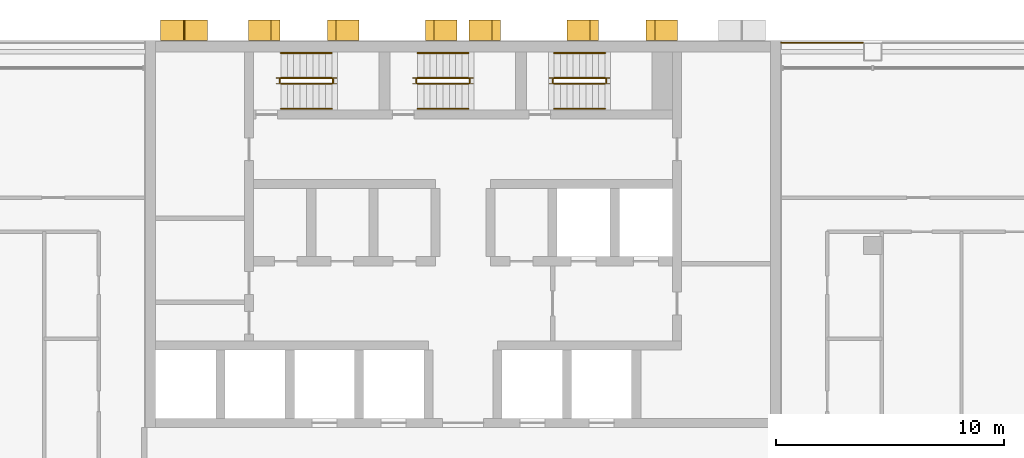
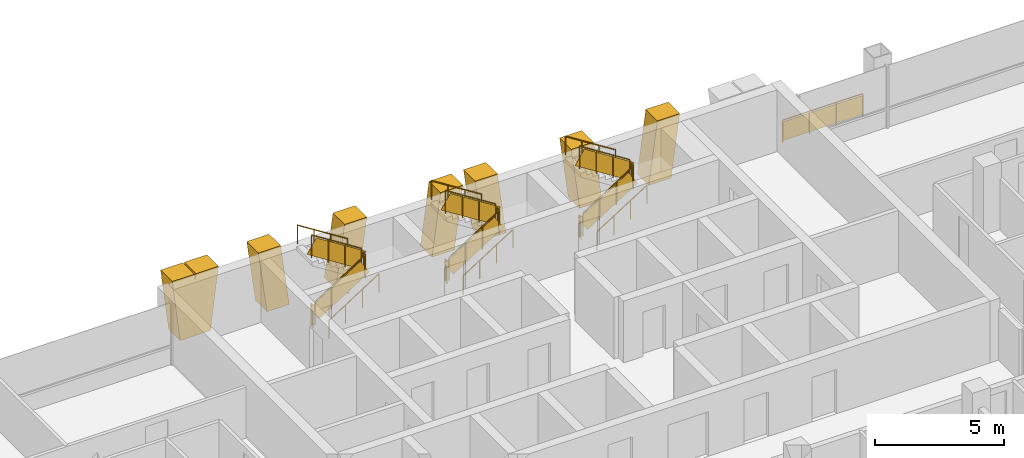
# One storey, part 15 of 16: 19 railings, 7 shading devices.
"""IFC4 building model written with IfcOpenShell, lengths in metres."""

from ifc_helpers import new_model, si_unit, direction, frame, origin, origin_2d, place, context, subcontext, project, spatial, polyline, rectangle, circle, outline, extrude, material, layer, layer_set, type_object, element, save


model = new_model("IFC4")

# Units and contexts
model_context = context("Model", 3, precision=1e-05, world=origin(), true_north=direction((0.0, 1.0)))
body_context = subcontext(model_context, "Body", "Model", "MODEL_VIEW")
ifc_project = project(units=[si_unit("LENGTHUNIT", "METRE"), si_unit("AREAUNIT", "SQUARE_METRE"), si_unit("VOLUMEUNIT", "CUBIC_METRE"), si_unit("PLANEANGLEUNIT", "RADIAN"), si_unit("MASSUNIT", "GRAM", prefix="KILO")], contexts=[model_context])

# Site, building, storey
site_placement = place(None, origin())
site = spatial("IfcSite", under=ifc_project, at=site_placement, CompositionType="ELEMENT")
building_placement = place(site_placement, origin())
building = spatial("IfcBuilding", under=site, at=building_placement, Name="Vidyagriha Tower", CompositionType="ELEMENT")
storey_placement = place(building_placement, frame((0.0, 0.0, 132.60009765625)))
storey = spatial("IfcBuildingStorey", under=building, at=storey_placement, Name="L34", CompositionType="ELEMENT", Elevation=132.60009765625)

# Shading devices
ifc_material_1 = material(Name="Precast concrete C40/50 with brick facing", Category="concrete")
ifc_layer_1 = layer(ifc_material_1, 1.0)
ifc_layer_set_1 = layer_set([ifc_layer_1], Name="Precast concrete C40/50 with brick facing")
shading_device_type_1 = type_object("IfcShadingDeviceType", Name="Brick-faced rear rib arm leaning 8 degrees", PredefinedType="USERDEFINED", material=ifc_layer_set_1)
shading_device_1_placement = place(storey_placement, frame((5.95703125, 20.449951171875, 0.0), z_axis=(0.0, 0.0, 1.0), x_axis=(-1.0, 0.0, 0.0)))
element("IfcShadingDevice", 1, at=shading_device_1_placement, inside=storey, type_object=shading_device_type_1, Name="Rear rib arm L34 R08.2a", ObjectType="BLADE FIN", PredefinedType="USERDEFINED", context=body_context, shape_type="SweptSolid", body=[
    extrude(outline(polyline([(0.0, 0.0), (1.0, 0.0), (1.3857421875, 2.919921875), (0.3857421875, 2.919921875), (0.0, 0.0)])), frame((0.0, 0.449951171875, 0.0), z_axis=(0.0, -1.0, 0.0), x_axis=(1.0, 0.0, 0.0)), (0.0, 0.0, 1.0), 0.89990234375),
])
shading_device_2_placement = place(storey_placement, frame((9.4287109375, 20.449951171875, 0.0), z_axis=(0.0, 0.0, 1.0), x_axis=(-1.0, 0.0, 0.0)))
element("IfcShadingDevice", 2, at=shading_device_2_placement, inside=storey, type_object=shading_device_type_1, Name="Rear rib arm L34 R08.2b", ObjectType="BLADE FIN", PredefinedType="USERDEFINED", context=body_context, shape_type="SweptSolid", body=[
    extrude(outline(polyline([(0.3857421875, 0.0), (1.3857421875, 0.0), (1.0, 2.919921875), (0.0, 2.919921875), (0.3857421875, 0.0)])), frame((0.0, 0.449951171875, 0.0), z_axis=(0.0, -1.0, 0.0), x_axis=(1.0, 0.0, 0.0)), (0.0, 0.0, 1.0), 0.89990234375),
])
shading_device_3_placement = place(storey_placement, frame((1.656982421875, 20.449951171875, 0.0), z_axis=(0.0, 0.0, 1.0), x_axis=(-1.0, 0.0, 0.0)))
element("IfcShadingDevice", 3, at=shading_device_3_placement, inside=storey, type_object=shading_device_type_1, Name="Rear rib arm L34 R08.3a", ObjectType="BLADE FIN", PredefinedType="USERDEFINED", context=body_context, shape_type="SweptSolid", body=[
    extrude(outline(polyline([(0.0, 0.0), (1.0, 0.0), (1.3857421875, 2.919921875), (0.3857421875, 2.919921875), (0.0, 0.0)])), frame((0.0, 0.449951171875, 0.0), z_axis=(0.0, -1.0, 0.0), x_axis=(1.0, 0.0, 0.0)), (0.0, 0.0, 1.0), 0.89990234375),
])
shading_device_4_placement = place(storey_placement, frame((-0.271484375, 20.449951171875, 0.0), z_axis=(0.0, 0.0, 1.0), x_axis=(-1.0, 0.0, 0.0)))
element("IfcShadingDevice", 4, at=shading_device_4_placement, inside=storey, type_object=shading_device_type_1, Name="Rear rib arm L34 R08.3b", ObjectType="BLADE FIN", PredefinedType="USERDEFINED", context=body_context, shape_type="SweptSolid", body=[
    extrude(outline(polyline([(0.3857421875, 0.0), (1.3857421875, 0.0), (1.0, 2.919921875), (0.0, 2.919921875), (0.3857421875, 0.0)])), frame((0.0, 0.449951171875, 0.0), z_axis=(0.0, -1.0, 0.0), x_axis=(1.0, 0.0, 0.0)), (0.0, 0.0, 1.0), 0.89990234375),
])
shading_device_5_placement = place(storey_placement, frame((-8.04296875, 20.449951171875, 0.0), z_axis=(0.0, 0.0, 1.0), x_axis=(-1.0, 0.0, 0.0)))
element("IfcShadingDevice", 5, at=shading_device_5_placement, inside=storey, type_object=shading_device_type_1, Name="Rear rib arm L34 R08.4a", ObjectType="BLADE FIN", PredefinedType="USERDEFINED", context=body_context, shape_type="SweptSolid", body=[
    extrude(outline(polyline([(0.0, 0.0), (1.0, 0.0), (1.3857421875, 2.919921875), (0.3857421875, 2.919921875), (0.0, 0.0)])), frame((0.0, 0.449951171875, 0.0), z_axis=(0.0, -1.0, 0.0), x_axis=(1.0, 0.0, 0.0)), (0.0, 0.0, 1.0), 0.89990234375),
])
shading_device_6_placement = place(storey_placement, frame((-4.5712890625, 20.449951171875, 0.0), z_axis=(0.0, 0.0, 1.0), x_axis=(-1.0, 0.0, 0.0)))
element("IfcShadingDevice", 6, at=shading_device_6_placement, inside=storey, type_object=shading_device_type_1, Name="Rear rib arm L34 R08.4b", ObjectType="BLADE FIN", PredefinedType="USERDEFINED", context=body_context, shape_type="SweptSolid", body=[
    extrude(outline(polyline([(0.3857421875, 0.0), (1.3857421875, 0.0), (1.0, 2.919921875), (0.0, 2.919921875), (0.3857421875, 0.0)])), frame((0.0, 0.449951171875, 0.0), z_axis=(0.0, -1.0, 0.0), x_axis=(1.0, 0.0, 0.0)), (0.0, 0.0, 1.0), 0.89990234375),
])
ifc_material_2 = material(Name="Precast concrete C40/50 with brick facing", Category="concrete")
ifc_layer_2 = layer(ifc_material_2, 1.0)
ifc_layer_set_2 = layer_set([ifc_layer_2], Name="Precast concrete C40/50 with brick facing")
shading_device_type_2 = type_object("IfcShadingDeviceType", Name="Brick-faced rear rib forking 8 degrees", PredefinedType="USERDEFINED", material=ifc_layer_set_2)
shading_device_7_placement = place(storey_placement, frame((-11.21435546875, 20.449951171875, 0.0), z_axis=(0.0, 0.0, 1.0), x_axis=(-1.0, 0.0, 0.0)))
element("IfcShadingDevice", 7, at=shading_device_7_placement, inside=storey, type_object=shading_device_type_2, Name="Rear rib fork L34 R08.5a", ObjectType="BLADE FIN", PredefinedType="USERDEFINED", context=body_context, shape_type="SweptSolid", body=[
    extrude(outline(polyline([(0.357177734375, 0.0), (1.71435546875, 0.0), (2.0712890625, 2.919921875), (1.0712890625, 2.919921875), (1.03564453125, 2.6279296875), (1.0, 2.919921875), (0.0, 2.919921875), (0.357177734375, 0.0)])), frame((0.0, 0.449951171875, 0.0), z_axis=(0.0, -1.0, 0.0), x_axis=(1.0, 0.0, 0.0)), (0.0, 0.0, 1.0), 0.89990234375),
])

# Railings
ifc_material_3 = material(Name="Steel ASTM A500 Grade C black painted", Category="steel")
railing_type_1 = type_object("IfcRailingType", Name="Gallery guard 1100", PredefinedType="GUARDRAIL", material=ifc_material_3)
railing_1_placement = place(storey_placement, frame((13.97998046875, 19.89990234375, 0.0)))
element("IfcRailing", 8, at=railing_1_placement, inside=storey, type_object=railing_type_1, Name="Gallery guard L34 9", PredefinedType="GUARDRAIL", context=body_context, shape_type="SweptSolid", body=[
    extrude(circle(Radius=0.02490234375, at=origin_2d()), frame((0.0, 0.0, 1.0751953125), z_axis=(1.0, 0.0, 0.0), x_axis=(0.0, 1.0, 0.0)), (0.0, 0.0, 1.0), 3.590087890625),
    extrude(circle(Radius=0.02001953125, at=origin_2d()), origin(), (0.0, 0.0, 1.0), 1.050048828125),
    extrude(circle(Radius=0.02001953125, at=origin_2d()), frame((1.19677734375, 0.0, 0.0)), (0.0, 0.0, 1.0), 1.050048828125),
    extrude(circle(Radius=0.02001953125, at=origin_2d()), frame((2.393310546875, 0.0, 0.0)), (0.0, 0.0, 1.0), 1.050048828125),
    extrude(circle(Radius=0.02001953125, at=origin_2d()), frame((3.590087890625, 0.0, 0.0)), (0.0, 0.0, 1.0), 1.050048828125),
    extrude(rectangle(XDim=0.010009765625, YDim=0.900146484375, at=origin_2d()), frame((0.0, 0.0, 0.550048828125), z_axis=(1.0, 0.0, 0.0), x_axis=(0.0, 1.0, 0.0)), (0.0, 0.0, 1.0), 3.590087890625),
])
ifc_material_4 = material(Name="Steel ASTM A500 Grade C", Category="steel")
railing_type_2 = type_object("IfcRailingType", Name="Stair guard 1100 mm, steel balustrade", PredefinedType="GUARDRAIL", material=ifc_material_4)
railing_2_placement = place(storey_placement, frame((-8.0, 18.10009765625, 0.177734375)))
element("IfcRailing", 9, at=railing_2_placement, inside=storey, type_object=railing_type_2, Name="L34 ST1 stair guard 1", PredefinedType="GUARDRAIL", context=body_context, shape_type="SweptSolid", body=[
    extrude(circle(Radius=0.02392578125, at=origin_2d()), frame((0.0, 0.0, 1.076171875), z_axis=(0.8442293374, 0.0, 0.53598211339), x_axis=(0.0, 1.0, 0.0)), (0.0, 0.0, 1.0), 2.6533203125),
    extrude(circle(Radius=0.02099609375, at=origin_2d()), origin(), (0.0, 0.0, 1.0), 1.052001953125),
    extrude(circle(Radius=0.02099609375, at=origin_2d()), frame((0.74658203125, 0.0, 0.47412109375)), (0.0, 0.0, 1.0), 1.052001953125),
    extrude(circle(Radius=0.02099609375, at=origin_2d()), frame((1.493408203125, 0.0, 0.947998046875)), (0.0, 0.0, 1.0), 1.052001953125),
    extrude(circle(Radius=0.02099609375, at=origin_2d()), frame((2.239990234375, 0.0, 1.422119140625)), (0.0, 0.0, 1.0), 1.052001953125),
    extrude(rectangle(XDim=0.010009765625, YDim=0.761474609375, at=origin_2d()), frame((0.0, 0.0, 0.551025390625), z_axis=(0.8442293374, 0.0, 0.53598211339), x_axis=(0.0, 1.0, 0.0)), (0.0, 0.0, 1.0), 2.6533203125),
])
railing_3_placement = place(storey_placement, frame((-5.7099609375, 18.14990234375, 1.599853515625)))
element("IfcRailing", 10, at=railing_3_placement, inside=storey, type_object=railing_type_2, Name="L34 ST1 stair guard 2", PredefinedType="GUARDRAIL", context=body_context, shape_type="SweptSolid", body=[
    extrude(circle(Radius=0.02392578125, at=origin_2d()), frame((0.0, 0.0, 1.076171875), z_axis=(0.0, 1.0, 0.0), x_axis=(-1.0, 0.0, 0.0)), (0.0, 0.0, 1.0), 0.150146484375),
    extrude(circle(Radius=0.02099609375, at=origin_2d()), origin(), (0.0, 0.0, 1.0), 1.052001953125),
    extrude(circle(Radius=0.02099609375, at=origin_2d()), frame((0.0, 0.150146484375, 0.0)), (0.0, 0.0, 1.0), 1.052001953125),
    extrude(rectangle(XDim=0.010009765625, YDim=0.902099609375, at=origin_2d()), frame((0.0, 0.0, 0.551025390625), z_axis=(0.0, 1.0, 0.0), x_axis=(-1.0, 0.0, 0.0)), (0.0, 0.0, 1.0), 0.150146484375),
])
railing_4_placement = place(storey_placement, frame((-5.760009765625, 18.35009765625, 1.777587890625)))
element("IfcRailing", 11, at=railing_4_placement, inside=storey, type_object=railing_type_2, Name="L34 ST1 stair guard 3", PredefinedType="GUARDRAIL", context=body_context, shape_type="SweptSolid", body=[
    extrude(circle(Radius=0.02392578125, at=origin_2d()), frame((0.0, 0.0, 1.076171875), z_axis=(-0.84418770128, 0.0, 0.536047689118), x_axis=(0.0, -1.0, 0.0)), (0.0, 0.0, 1.0), 2.6533203125),
    extrude(circle(Radius=0.02099609375, at=origin_2d()), origin(), (0.0, 0.0, 1.0), 1.052001953125),
    extrude(circle(Radius=0.02099609375, at=origin_2d()), frame((-0.74658203125, 0.0, 0.47412109375)), (0.0, 0.0, 1.0), 1.052001953125),
    extrude(circle(Radius=0.02099609375, at=origin_2d()), frame((-1.493408203125, 0.0, 0.9482421875)), (0.0, 0.0, 1.0), 1.052001953125),
    extrude(circle(Radius=0.02099609375, at=origin_2d()), frame((-2.239990234375, 0.0, 1.42236328125)), (0.0, 0.0, 1.0), 1.052001953125),
    extrude(rectangle(XDim=0.010009765625, YDim=0.761474609375, at=origin_2d()), frame((0.0, 0.0, 0.551025390625), z_axis=(-0.84418770128, 0.0, 0.536047689118), x_axis=(0.0, -1.0, 0.0)), (0.0, 0.0, 1.0), 2.6533203125),
])
railing_5_placement = place(storey_placement, frame((-8.050048828125, 18.14990234375, 0.0)))
element("IfcRailing", 12, at=railing_5_placement, inside=storey, type_object=railing_type_2, Name="L34 ST1 stair guard 4", PredefinedType="GUARDRAIL", context=body_context, shape_type="SweptSolid", body=[
    extrude(circle(Radius=0.02392578125, at=origin_2d()), frame((0.0, 0.0, 1.076171875), z_axis=(0.0, 1.0, 0.0), x_axis=(-1.0, 0.0, 0.0)), (0.0, 0.0, 1.0), 0.150146484375),
    extrude(circle(Radius=0.02099609375, at=origin_2d()), origin(), (0.0, 0.0, 1.0), 1.052001953125),
    extrude(circle(Radius=0.02099609375, at=origin_2d()), frame((0.0, 0.150146484375, 0.0)), (0.0, 0.0, 1.0), 1.052001953125),
    extrude(rectangle(XDim=0.010009765625, YDim=0.902099609375, at=origin_2d()), frame((0.0, 0.0, 0.551025390625), z_axis=(0.0, 1.0, 0.0), x_axis=(-1.0, 0.0, 0.0)), (0.0, 0.0, 1.0), 0.150146484375),
])
railing_6_placement = place(storey_placement, frame((-2.0, 18.10009765625, 0.177734375)))
element("IfcRailing", 13, at=railing_6_placement, inside=storey, type_object=railing_type_2, Name="L34 ST2 stair guard 1", PredefinedType="GUARDRAIL", context=body_context, shape_type="SweptSolid", body=[
    extrude(circle(Radius=0.02392578125, at=origin_2d()), frame((0.0, 0.0, 1.076171875), z_axis=(0.8442293374, 0.0, 0.53598211339), x_axis=(0.0, 1.0, 0.0)), (0.0, 0.0, 1.0), 2.6533203125),
    extrude(circle(Radius=0.02099609375, at=origin_2d()), origin(), (0.0, 0.0, 1.0), 1.052001953125),
    extrude(circle(Radius=0.02099609375, at=origin_2d()), frame((0.74658203125, 0.0, 0.47412109375)), (0.0, 0.0, 1.0), 1.052001953125),
    extrude(circle(Radius=0.02099609375, at=origin_2d()), frame((1.493408203125, 0.0, 0.947998046875)), (0.0, 0.0, 1.0), 1.052001953125),
    extrude(circle(Radius=0.02099609375, at=origin_2d()), frame((2.239990234375, 0.0, 1.422119140625)), (0.0, 0.0, 1.0), 1.052001953125),
    extrude(rectangle(XDim=0.010009765625, YDim=0.761474609375, at=origin_2d()), frame((0.0, 0.0, 0.551025390625), z_axis=(0.8442293374, 0.0, 0.53598211339), x_axis=(0.0, 1.0, 0.0)), (0.0, 0.0, 1.0), 2.6533203125),
])
railing_7_placement = place(storey_placement, frame((0.2900390625, 18.14990234375, 1.599853515625)))
element("IfcRailing", 14, at=railing_7_placement, inside=storey, type_object=railing_type_2, Name="L34 ST2 stair guard 2", PredefinedType="GUARDRAIL", context=body_context, shape_type="SweptSolid", body=[
    extrude(circle(Radius=0.02392578125, at=origin_2d()), frame((0.0, 0.0, 1.076171875), z_axis=(0.0, 1.0, 0.0), x_axis=(-1.0, 0.0, 0.0)), (0.0, 0.0, 1.0), 0.150146484375),
    extrude(circle(Radius=0.02099609375, at=origin_2d()), origin(), (0.0, 0.0, 1.0), 1.052001953125),
    extrude(circle(Radius=0.02099609375, at=origin_2d()), frame((0.0, 0.150146484375, 0.0)), (0.0, 0.0, 1.0), 1.052001953125),
    extrude(rectangle(XDim=0.010009765625, YDim=0.902099609375, at=origin_2d()), frame((0.0, 0.0, 0.551025390625), z_axis=(0.0, 1.0, 0.0), x_axis=(-1.0, 0.0, 0.0)), (0.0, 0.0, 1.0), 0.150146484375),
])
railing_8_placement = place(storey_placement, frame((0.239990234375, 18.35009765625, 1.777587890625)))
element("IfcRailing", 15, at=railing_8_placement, inside=storey, type_object=railing_type_2, Name="L34 ST2 stair guard 3", PredefinedType="GUARDRAIL", context=body_context, shape_type="SweptSolid", body=[
    extrude(circle(Radius=0.02392578125, at=origin_2d()), frame((0.0, 0.0, 1.076171875), z_axis=(-0.84418770128, 0.0, 0.536047689118), x_axis=(0.0, -1.0, 0.0)), (0.0, 0.0, 1.0), 2.6533203125),
    extrude(circle(Radius=0.02099609375, at=origin_2d()), origin(), (0.0, 0.0, 1.0), 1.052001953125),
    extrude(circle(Radius=0.02099609375, at=origin_2d()), frame((-0.74658203125, 0.0, 0.47412109375)), (0.0, 0.0, 1.0), 1.052001953125),
    extrude(circle(Radius=0.02099609375, at=origin_2d()), frame((-1.493408203125, 0.0, 0.9482421875)), (0.0, 0.0, 1.0), 1.052001953125),
    extrude(circle(Radius=0.02099609375, at=origin_2d()), frame((-2.239990234375, 0.0, 1.42236328125)), (0.0, 0.0, 1.0), 1.052001953125),
    extrude(rectangle(XDim=0.010009765625, YDim=0.761474609375, at=origin_2d()), frame((0.0, 0.0, 0.551025390625), z_axis=(-0.84418770128, 0.0, 0.536047689118), x_axis=(0.0, -1.0, 0.0)), (0.0, 0.0, 1.0), 2.6533203125),
])
railing_9_placement = place(storey_placement, frame((-2.050048828125, 18.14990234375, 0.0)))
element("IfcRailing", 16, at=railing_9_placement, inside=storey, type_object=railing_type_2, Name="L34 ST2 stair guard 4", PredefinedType="GUARDRAIL", context=body_context, shape_type="SweptSolid", body=[
    extrude(circle(Radius=0.02392578125, at=origin_2d()), frame((0.0, 0.0, 1.076171875), z_axis=(0.0, 1.0, 0.0), x_axis=(-1.0, 0.0, 0.0)), (0.0, 0.0, 1.0), 0.150146484375),
    extrude(circle(Radius=0.02099609375, at=origin_2d()), origin(), (0.0, 0.0, 1.0), 1.052001953125),
    extrude(circle(Radius=0.02099609375, at=origin_2d()), frame((0.0, 0.150146484375, 0.0)), (0.0, 0.0, 1.0), 1.052001953125),
    extrude(rectangle(XDim=0.010009765625, YDim=0.902099609375, at=origin_2d()), frame((0.0, 0.0, 0.551025390625), z_axis=(0.0, 1.0, 0.0), x_axis=(-1.0, 0.0, 0.0)), (0.0, 0.0, 1.0), 0.150146484375),
])
railing_10_placement = place(storey_placement, frame((4.0, 18.10009765625, 0.177734375)))
element("IfcRailing", 17, at=railing_10_placement, inside=storey, type_object=railing_type_2, Name="L34 ST3 stair guard 1", PredefinedType="GUARDRAIL", context=body_context, shape_type="SweptSolid", body=[
    extrude(circle(Radius=0.02392578125, at=origin_2d()), frame((0.0, 0.0, 1.076171875), z_axis=(0.8442293374, 0.0, 0.53598211339), x_axis=(0.0, 1.0, 0.0)), (0.0, 0.0, 1.0), 2.6533203125),
    extrude(circle(Radius=0.02099609375, at=origin_2d()), origin(), (0.0, 0.0, 1.0), 1.052001953125),
    extrude(circle(Radius=0.02099609375, at=origin_2d()), frame((0.74658203125, 0.0, 0.47412109375)), (0.0, 0.0, 1.0), 1.052001953125),
    extrude(circle(Radius=0.02099609375, at=origin_2d()), frame((1.493408203125, 0.0, 0.947998046875)), (0.0, 0.0, 1.0), 1.052001953125),
    extrude(circle(Radius=0.02099609375, at=origin_2d()), frame((2.239990234375, 0.0, 1.422119140625)), (0.0, 0.0, 1.0), 1.052001953125),
    extrude(rectangle(XDim=0.010009765625, YDim=0.761474609375, at=origin_2d()), frame((0.0, 0.0, 0.551025390625), z_axis=(0.8442293374, 0.0, 0.53598211339), x_axis=(0.0, 1.0, 0.0)), (0.0, 0.0, 1.0), 2.6533203125),
])
railing_11_placement = place(storey_placement, frame((6.2900390625, 18.14990234375, 1.599853515625)))
element("IfcRailing", 18, at=railing_11_placement, inside=storey, type_object=railing_type_2, Name="L34 ST3 stair guard 2", PredefinedType="GUARDRAIL", context=body_context, shape_type="SweptSolid", body=[
    extrude(circle(Radius=0.02392578125, at=origin_2d()), frame((0.0, 0.0, 1.076171875), z_axis=(0.0, 1.0, 0.0), x_axis=(-1.0, 0.0, 0.0)), (0.0, 0.0, 1.0), 0.150146484375),
    extrude(circle(Radius=0.02099609375, at=origin_2d()), origin(), (0.0, 0.0, 1.0), 1.052001953125),
    extrude(circle(Radius=0.02099609375, at=origin_2d()), frame((0.0, 0.150146484375, 0.0)), (0.0, 0.0, 1.0), 1.052001953125),
    extrude(rectangle(XDim=0.010009765625, YDim=0.902099609375, at=origin_2d()), frame((0.0, 0.0, 0.551025390625), z_axis=(0.0, 1.0, 0.0), x_axis=(-1.0, 0.0, 0.0)), (0.0, 0.0, 1.0), 0.150146484375),
])
railing_12_placement = place(storey_placement, frame((6.239990234375, 18.35009765625, 1.777587890625)))
element("IfcRailing", 19, at=railing_12_placement, inside=storey, type_object=railing_type_2, Name="L34 ST3 stair guard 3", PredefinedType="GUARDRAIL", context=body_context, shape_type="SweptSolid", body=[
    extrude(circle(Radius=0.02392578125, at=origin_2d()), frame((0.0, 0.0, 1.076171875), z_axis=(-0.84418770128, 0.0, 0.536047689118), x_axis=(0.0, -1.0, 0.0)), (0.0, 0.0, 1.0), 2.6533203125),
    extrude(circle(Radius=0.02099609375, at=origin_2d()), origin(), (0.0, 0.0, 1.0), 1.052001953125),
    extrude(circle(Radius=0.02099609375, at=origin_2d()), frame((-0.74658203125, 0.0, 0.47412109375)), (0.0, 0.0, 1.0), 1.052001953125),
    extrude(circle(Radius=0.02099609375, at=origin_2d()), frame((-1.493408203125, 0.0, 0.9482421875)), (0.0, 0.0, 1.0), 1.052001953125),
    extrude(circle(Radius=0.02099609375, at=origin_2d()), frame((-2.239990234375, 0.0, 1.42236328125)), (0.0, 0.0, 1.0), 1.052001953125),
    extrude(rectangle(XDim=0.010009765625, YDim=0.761474609375, at=origin_2d()), frame((0.0, 0.0, 0.551025390625), z_axis=(-0.84418770128, 0.0, 0.536047689118), x_axis=(0.0, -1.0, 0.0)), (0.0, 0.0, 1.0), 2.6533203125),
])
railing_13_placement = place(storey_placement, frame((3.949951171875, 18.14990234375, 0.0)))
element("IfcRailing", 20, at=railing_13_placement, inside=storey, type_object=railing_type_2, Name="L34 ST3 stair guard 4", PredefinedType="GUARDRAIL", context=body_context, shape_type="SweptSolid", body=[
    extrude(circle(Radius=0.02392578125, at=origin_2d()), frame((0.0, 0.0, 1.076171875), z_axis=(0.0, 1.0, 0.0), x_axis=(-1.0, 0.0, 0.0)), (0.0, 0.0, 1.0), 0.150146484375),
    extrude(circle(Radius=0.02099609375, at=origin_2d()), origin(), (0.0, 0.0, 1.0), 1.052001953125),
    extrude(circle(Radius=0.02099609375, at=origin_2d()), frame((0.0, 0.150146484375, 0.0)), (0.0, 0.0, 1.0), 1.052001953125),
    extrude(rectangle(XDim=0.010009765625, YDim=0.902099609375, at=origin_2d()), frame((0.0, 0.0, 0.551025390625), z_axis=(0.0, 1.0, 0.0), x_axis=(-1.0, 0.0, 0.0)), (0.0, 0.0, 1.0), 0.150146484375),
])
ifc_material_5 = material(Name="Steel ASTM A500 Grade C", Category="steel")
railing_type_3 = type_object("IfcRailingType", Name="Stair handrail 900 mm, steel", PredefinedType="HANDRAIL", material=ifc_material_5)
railing_14_placement = place(storey_placement, frame((-8.0, 17.0, 0.177734375)))
element("IfcRailing", 21, at=railing_14_placement, inside=storey, type_object=railing_type_3, Name="L34 ST1 stair handrail 1", PredefinedType="HANDRAIL", context=body_context, shape_type="SweptSolid", body=[
    extrude(circle(Radius=0.02392578125, at=origin_2d()), frame((0.0, 0.0, 0.8759765625), z_axis=(0.8442293374, 0.0, 0.53598211339), x_axis=(0.0, 1.0, 0.0)), (0.0, 0.0, 1.0), 2.6533203125),
    extrude(circle(Radius=0.02099609375, at=origin_2d()), origin(), (0.0, 0.0, 1.0), 0.851806640625),
    extrude(circle(Radius=0.02099609375, at=origin_2d()), frame((0.74658203125, 0.0, 0.47412109375)), (0.0, 0.0, 1.0), 0.851806640625),
    extrude(circle(Radius=0.02099609375, at=origin_2d()), frame((1.493408203125, 0.0, 0.947998046875)), (0.0, 0.0, 1.0), 0.851806640625),
    extrude(circle(Radius=0.02099609375, at=origin_2d()), frame((2.239990234375, 0.0, 1.422119140625)), (0.0, 0.0, 1.0), 0.851806640625),
])
railing_15_placement = place(storey_placement, frame((-5.760009765625, 19.449951171875, 1.777587890625)))
element("IfcRailing", 22, at=railing_15_placement, inside=storey, type_object=railing_type_3, Name="L34 ST1 stair handrail 2", PredefinedType="HANDRAIL", context=body_context, shape_type="SweptSolid", body=[
    extrude(circle(Radius=0.02392578125, at=origin_2d()), frame((0.0, 0.0, 0.8759765625), z_axis=(-0.84418770128, 0.0, 0.536047689118), x_axis=(0.0, -1.0, 0.0)), (0.0, 0.0, 1.0), 2.6533203125),
    extrude(circle(Radius=0.02099609375, at=origin_2d()), origin(), (0.0, 0.0, 1.0), 0.851806640625),
    extrude(circle(Radius=0.02099609375, at=origin_2d()), frame((-0.74658203125, 0.0, 0.47412109375)), (0.0, 0.0, 1.0), 0.851806640625),
    extrude(circle(Radius=0.02099609375, at=origin_2d()), frame((-1.493408203125, 0.0, 0.9482421875)), (0.0, 0.0, 1.0), 0.851806640625),
    extrude(circle(Radius=0.02099609375, at=origin_2d()), frame((-2.239990234375, 0.0, 1.42236328125)), (0.0, 0.0, 1.0), 0.851806640625),
])
railing_16_placement = place(storey_placement, frame((-2.0, 17.0, 0.177734375)))
element("IfcRailing", 23, at=railing_16_placement, inside=storey, type_object=railing_type_3, Name="L34 ST2 stair handrail 1", PredefinedType="HANDRAIL", context=body_context, shape_type="SweptSolid", body=[
    extrude(circle(Radius=0.02392578125, at=origin_2d()), frame((0.0, 0.0, 0.8759765625), z_axis=(0.8442293374, 0.0, 0.53598211339), x_axis=(0.0, 1.0, 0.0)), (0.0, 0.0, 1.0), 2.6533203125),
    extrude(circle(Radius=0.02099609375, at=origin_2d()), origin(), (0.0, 0.0, 1.0), 0.851806640625),
    extrude(circle(Radius=0.02099609375, at=origin_2d()), frame((0.74658203125, 0.0, 0.47412109375)), (0.0, 0.0, 1.0), 0.851806640625),
    extrude(circle(Radius=0.02099609375, at=origin_2d()), frame((1.493408203125, 0.0, 0.947998046875)), (0.0, 0.0, 1.0), 0.851806640625),
    extrude(circle(Radius=0.02099609375, at=origin_2d()), frame((2.239990234375, 0.0, 1.422119140625)), (0.0, 0.0, 1.0), 0.851806640625),
])
railing_17_placement = place(storey_placement, frame((0.239990234375, 19.449951171875, 1.777587890625)))
element("IfcRailing", 24, at=railing_17_placement, inside=storey, type_object=railing_type_3, Name="L34 ST2 stair handrail 2", PredefinedType="HANDRAIL", context=body_context, shape_type="SweptSolid", body=[
    extrude(circle(Radius=0.02392578125, at=origin_2d()), frame((0.0, 0.0, 0.8759765625), z_axis=(-0.84418770128, 0.0, 0.536047689118), x_axis=(0.0, -1.0, 0.0)), (0.0, 0.0, 1.0), 2.6533203125),
    extrude(circle(Radius=0.02099609375, at=origin_2d()), origin(), (0.0, 0.0, 1.0), 0.851806640625),
    extrude(circle(Radius=0.02099609375, at=origin_2d()), frame((-0.74658203125, 0.0, 0.47412109375)), (0.0, 0.0, 1.0), 0.851806640625),
    extrude(circle(Radius=0.02099609375, at=origin_2d()), frame((-1.493408203125, 0.0, 0.9482421875)), (0.0, 0.0, 1.0), 0.851806640625),
    extrude(circle(Radius=0.02099609375, at=origin_2d()), frame((-2.239990234375, 0.0, 1.42236328125)), (0.0, 0.0, 1.0), 0.851806640625),
])
railing_18_placement = place(storey_placement, frame((4.0, 17.0, 0.177734375)))
element("IfcRailing", 25, at=railing_18_placement, inside=storey, type_object=railing_type_3, Name="L34 ST3 stair handrail 1", PredefinedType="HANDRAIL", context=body_context, shape_type="SweptSolid", body=[
    extrude(circle(Radius=0.02392578125, at=origin_2d()), frame((0.0, 0.0, 0.8759765625), z_axis=(0.8442293374, 0.0, 0.53598211339), x_axis=(0.0, 1.0, 0.0)), (0.0, 0.0, 1.0), 2.6533203125),
    extrude(circle(Radius=0.02099609375, at=origin_2d()), origin(), (0.0, 0.0, 1.0), 0.851806640625),
    extrude(circle(Radius=0.02099609375, at=origin_2d()), frame((0.74658203125, 0.0, 0.47412109375)), (0.0, 0.0, 1.0), 0.851806640625),
    extrude(circle(Radius=0.02099609375, at=origin_2d()), frame((1.493408203125, 0.0, 0.947998046875)), (0.0, 0.0, 1.0), 0.851806640625),
    extrude(circle(Radius=0.02099609375, at=origin_2d()), frame((2.239990234375, 0.0, 1.422119140625)), (0.0, 0.0, 1.0), 0.851806640625),
])
railing_19_placement = place(storey_placement, frame((6.239990234375, 19.449951171875, 1.777587890625)))
element("IfcRailing", 26, at=railing_19_placement, inside=storey, type_object=railing_type_3, Name="L34 ST3 stair handrail 2", PredefinedType="HANDRAIL", context=body_context, shape_type="SweptSolid", body=[
    extrude(circle(Radius=0.02392578125, at=origin_2d()), frame((0.0, 0.0, 0.8759765625), z_axis=(-0.84418770128, 0.0, 0.536047689118), x_axis=(0.0, -1.0, 0.0)), (0.0, 0.0, 1.0), 2.6533203125),
    extrude(circle(Radius=0.02099609375, at=origin_2d()), origin(), (0.0, 0.0, 1.0), 0.851806640625),
    extrude(circle(Radius=0.02099609375, at=origin_2d()), frame((-0.74658203125, 0.0, 0.47412109375)), (0.0, 0.0, 1.0), 0.851806640625),
    extrude(circle(Radius=0.02099609375, at=origin_2d()), frame((-1.493408203125, 0.0, 0.9482421875)), (0.0, 0.0, 1.0), 0.851806640625),
    extrude(circle(Radius=0.02099609375, at=origin_2d()), frame((-2.239990234375, 0.0, 1.42236328125)), (0.0, 0.0, 1.0), 0.851806640625),
])

save(model, "model.ifc")
